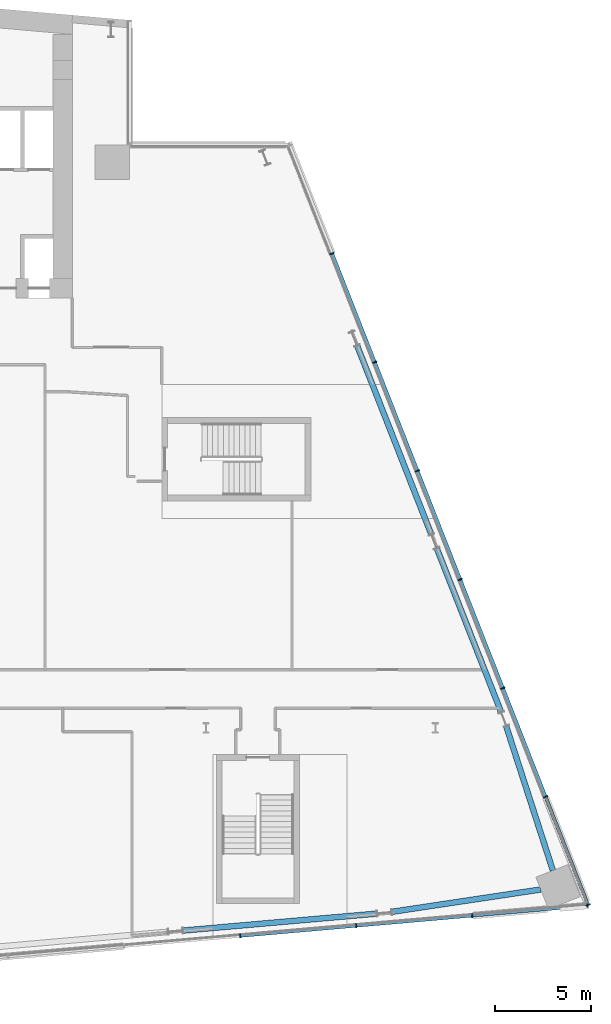
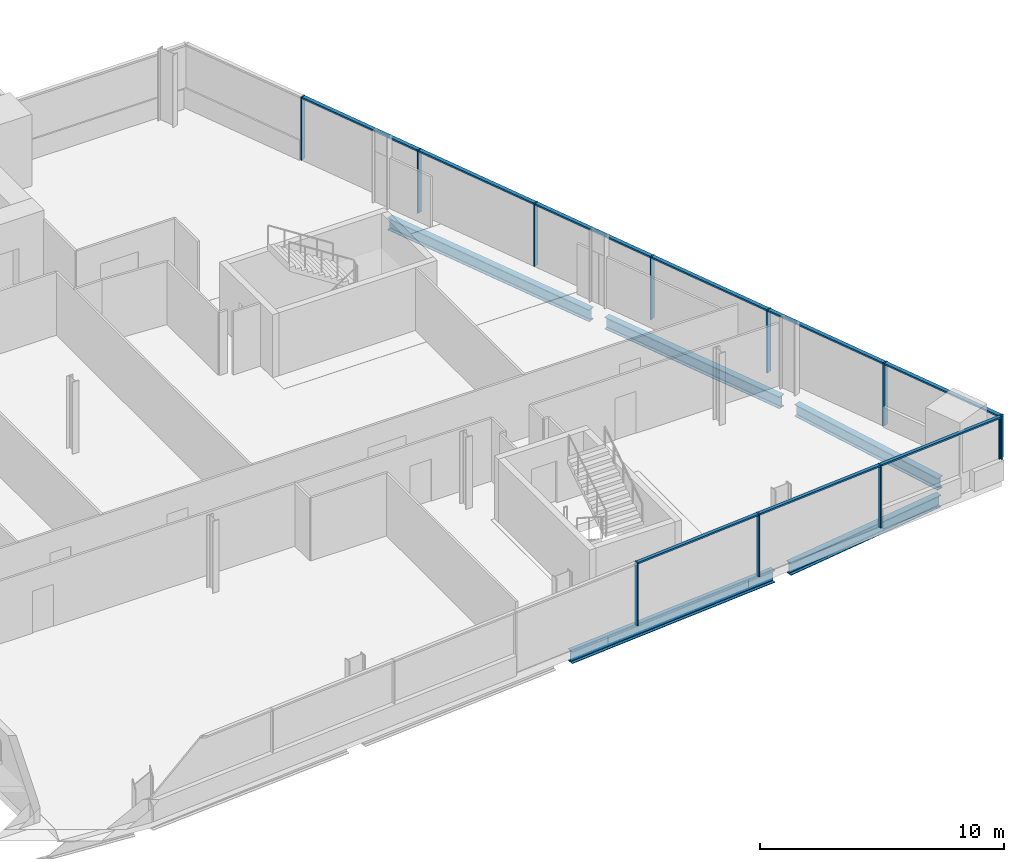
# One storey, part 10 of 25: 20 members, 5 beams, 2 elements without a shape of their own.
"""IFC4 building model written with IfcOpenShell, lengths in metres."""

from ifc_helpers import new_model, si_unit, direction, frame, origin, origin_2d, place, context, subcontext, project, spatial, rectangle, i_section, extrude, material, material_profile, profile_set, type_object, element, aggregate, save


model = new_model("IFC4")

# Units and contexts
model_context = context("Model", 3, precision=1e-05, world=origin(), true_north=direction((0.0, 1.0)))
body_context = subcontext(model_context, "Body", "Model", "MODEL_VIEW")
ifc_project = project(units=[si_unit("LENGTHUNIT", "METRE"), si_unit("AREAUNIT", "SQUARE_METRE"), si_unit("VOLUMEUNIT", "CUBIC_METRE"), si_unit("PLANEANGLEUNIT", "RADIAN"), si_unit("MASSUNIT", "GRAM", prefix="KILO")], contexts=[model_context])

# Site, building, storey
site_placement = place(None, origin())
site = spatial("IfcSite", under=ifc_project, at=site_placement, CompositionType="ELEMENT")
building_placement = place(site_placement, origin())
building = spatial("IfcBuilding", under=site, at=building_placement, Name="Wharfspan Tower", CompositionType="ELEMENT")
storey_placement = place(building_placement, frame((0.0, 0.0, 143.5)))
storey = spatial("IfcBuildingStorey", under=building, at=storey_placement, Name="L34", CompositionType="ELEMENT", Elevation=143.5)

# Beams
ifc_material_1 = material(Name="Steel S355J2", Category="steel")
ifc_material_profile_1 = material_profile(ifc_material_1, i_section(OverallWidth=0.300049, OverallDepth=0.600098, WebThickness=0.015381, FlangeThickness=0.030029, FilletRadius=0.0271, at=origin_2d()))
ifc_profile_set_1 = profile_set([ifc_material_profile_1], Name="Steel S355J2")
beam_type = type_object("IfcBeamType", Name="Edge beam HEB 600", PredefinedType="SPANDREL", material=ifc_profile_set_1)
beam_1_placement = place(storey_placement, frame((70.805664, 0.887695, -0.699951), z_axis=(0.996194, 0.087159, 0.0), x_axis=(-0.087159, 0.996194, 0.0)))
element("IfcBeam", 1, at=beam_1_placement, inside=storey, type_object=beam_type, Name="Edge beam S2 L34 PS2.2 to PS2.3", PredefinedType="SPANDREL", context=body_context, shape_type="SweptSolid", body=[
    extrude(i_section(OverallWidth=0.300049, OverallDepth=0.600098, WebThickness=0.015381, FlangeThickness=0.030029, FilletRadius=0.0271, at=origin_2d()), origin(), (0.0, 0.0, 1.0), 10.159424),
])
beam_2_placement = place(storey_placement, frame((81.727295, 1.868408, -0.699951), z_axis=(0.988926, 0.148412, 0.0), x_axis=(-0.148412, 0.988926, 0.0)))
element("IfcBeam", 2, at=beam_2_placement, inside=storey, type_object=beam_type, Name="Edge beam S2 L34 PS2.3 to MC4", PredefinedType="SPANDREL", context=body_context, shape_type="SweptSolid", body=[
    extrude(i_section(OverallWidth=0.300049, OverallDepth=0.600098, WebThickness=0.015381, FlangeThickness=0.030029, FilletRadius=0.0271, at=origin_2d()), origin(), (0.0, 0.0, 1.0), 7.87793),
])
beam_3_placement = place(storey_placement, frame((90.150879, 4.02832, -0.699951), z_axis=(-0.307851, 0.951434, 0.0), x_axis=(-0.951434, -0.307851, 0.0)))
element("IfcBeam", 3, at=beam_3_placement, inside=storey, type_object=beam_type, Name="Edge beam E L34 MC4 to PE.1", PredefinedType="SPANDREL", context=body_context, shape_type="SweptSolid", body=[
    extrude(i_section(OverallWidth=0.300049, OverallDepth=0.600098, WebThickness=0.015381, FlangeThickness=0.030029, FilletRadius=0.0271, at=origin_2d()), origin(), (0.0, 0.0, 1.0), 7.924805),
])
beam_4_placement = place(storey_placement, frame((87.439453, 12.327637, -0.699951), z_axis=(-0.365779, 0.930702, 0.0), x_axis=(-0.930702, -0.365779, 0.0)))
element("IfcBeam", 4, at=beam_4_placement, inside=storey, type_object=beam_type, Name="Edge beam E L34 PE.1 to PE.2", PredefinedType="SPANDREL", context=body_context, shape_type="SweptSolid", body=[
    extrude(i_section(OverallWidth=0.300049, OverallDepth=0.600098, WebThickness=0.015381, FlangeThickness=0.030029, FilletRadius=0.0271, at=origin_2d()), origin(), (0.0, 0.0, 1.0), 9.184814),
])
beam_5_placement = place(storey_placement, frame((83.785156, 21.625977, -0.699951), z_axis=(-0.365789, 0.930698, 0.0), x_axis=(-0.930698, -0.365789, 0.0)))
element("IfcBeam", 5, at=beam_5_placement, inside=storey, type_object=beam_type, Name="Edge beam E L34 PE.2 to PE.3", PredefinedType="SPANDREL", context=body_context, shape_type="SweptSolid", body=[
    extrude(i_section(OverallWidth=0.300049, OverallDepth=0.600098, WebThickness=0.015381, FlangeThickness=0.030029, FilletRadius=0.0271, at=origin_2d()), origin(), (0.0, 0.0, 1.0), 10.584961),
])

# Curtain wall, members
ifc_material_2 = material(Name="Aluminium 6063-T6", Category="aluminium")
curtain_wall_type_1 = type_object("IfcCurtainWallType", Name="CURTAIN WALL FACETED FRONT", PredefinedType="NOTDEFINED", material=ifc_material_2)
curtain_wall_1_placement = place(storey_placement, origin())
curtain_wall_1 = element("IfcCurtainWall", 6, at=curtain_wall_1_placement, inside=storey, type_object=curtain_wall_type_1, Name="Curtain wall S2", PredefinedType="NOTDEFINED")
ifc_material_profile_2 = material_profile(ifc_material_2, rectangle(XDim=0.199951, YDim=0.060059, at=origin_2d()))
ifc_profile_set_2 = profile_set([ifc_material_profile_2], Name="Aluminium 6063-T6")
member_type_1 = type_object("IfcMemberType", Name="MULLION FACETED FRONT 60x200", PredefinedType="MULLION", material=ifc_profile_set_2)
member_1_placement = place(storey_placement, frame((73.785645, 0.606445, 0.0), z_axis=(0.0, 0.0, 1.0), x_axis=(-0.087156, 0.996198, 0.0)))
member_1 = element("IfcMember", 7, at=member_1_placement, type_object=member_type_1, Name="Curtain wall S2 mullion 5", PredefinedType="MULLION", context=body_context, shape_type="SweptSolid", body=[
    extrude(rectangle(XDim=0.199951, YDim=0.060059, at=origin_2d()), origin(), (0.0, 0.0, 1.0), 3.149902),
])
member_2_placement = place(storey_placement, frame((79.857178, 1.137695, 0.0), z_axis=(0.0, 0.0, 1.0), x_axis=(-0.087156, 0.996198, 0.0)))
member_2 = element("IfcMember", 8, at=member_2_placement, type_object=member_type_1, Name="Curtain wall S2 mullion 6", PredefinedType="MULLION", context=body_context, shape_type="SweptSolid", body=[
    extrude(rectangle(XDim=0.199951, YDim=0.060059, at=origin_2d()), origin(), (0.0, 0.0, 1.0), 3.149902),
])
member_3_placement = place(storey_placement, frame((85.928467, 1.668701, 0.0), z_axis=(0.0, 0.0, 1.0), x_axis=(-0.087156, 0.996198, 0.0)))
member_3 = element("IfcMember", 9, at=member_3_placement, type_object=member_type_1, Name="Curtain wall S2 mullion 7", PredefinedType="MULLION", context=body_context, shape_type="SweptSolid", body=[
    extrude(rectangle(XDim=0.199951, YDim=0.060059, at=origin_2d()), origin(), (0.0, 0.0, 1.0), 3.149902),
])
member_4_placement = place(storey_placement, frame((91.970215, 2.197266, 1.0), z_axis=(0.0, 0.0, 1.0), x_axis=(-0.087156, 0.996198, 0.0)))
member_4 = element("IfcMember", 10, at=member_4_placement, type_object=member_type_1, Name="Curtain wall S2 mullion 8", PredefinedType="MULLION", context=body_context, shape_type="SweptSolid", body=[
    extrude(rectangle(XDim=0.199951, YDim=0.060059, at=origin_2d()), origin(), (0.0, 0.0, 1.0), 2.149902),
])

curtain_wall_type_2 = type_object("IfcCurtainWallType", Name="CURTAIN WALL PROW AND END", PredefinedType="NOTDEFINED", material=ifc_material_2)
curtain_wall_2_placement = place(storey_placement, origin())
curtain_wall_2 = element("IfcCurtainWall", 11, at=curtain_wall_2_placement, inside=storey, type_object=curtain_wall_type_2, Name="Curtain wall E", PredefinedType="NOTDEFINED")
ifc_material_profile_3 = material_profile(ifc_material_2, rectangle(XDim=0.23999, YDim=0.060059, at=origin_2d()))
ifc_profile_set_3 = profile_set([ifc_material_profile_3], Name="Aluminium 6063-T6")
member_type_2 = type_object("IfcMemberType", Name="MULLION PROW AND END 60x240", PredefinedType="MULLION", material=ifc_profile_set_3)
member_5_placement = place(storey_placement, frame((91.989014, 2.228027, 1.0), z_axis=(0.0, 0.0, 1.0), x_axis=(-0.930702, -0.365778, 0.0)))
member_5 = element("IfcMember", 12, at=member_5_placement, type_object=member_type_2, Name="Curtain wall E mullion 1", PredefinedType="MULLION", context=body_context, shape_type="SweptSolid", body=[
    extrude(rectangle(XDim=0.23999, YDim=0.060059, at=origin_2d()), origin(), (0.0, 0.0, 1.0), 2.149902),
])
member_6_placement = place(storey_placement, frame((89.765381, 7.885742, 0.0), z_axis=(0.0, 0.0, 1.0), x_axis=(-0.930702, -0.365778, 0.0)))
member_6 = element("IfcMember", 13, at=member_6_placement, type_object=member_type_2, Name="Curtain wall E mullion 2", PredefinedType="MULLION", context=body_context, shape_type="SweptSolid", body=[
    extrude(rectangle(XDim=0.23999, YDim=0.060059, at=origin_2d()), origin(), (0.0, 0.0, 1.0), 3.149902),
])
member_7_placement = place(storey_placement, frame((87.530762, 13.571533, 0.0), z_axis=(0.0, 0.0, 1.0), x_axis=(-0.930702, -0.365778, 0.0)))
member_7 = element("IfcMember", 14, at=member_7_placement, type_object=member_type_2, Name="Curtain wall E mullion 3", PredefinedType="MULLION", context=body_context, shape_type="SweptSolid", body=[
    extrude(rectangle(XDim=0.23999, YDim=0.060059, at=origin_2d()), origin(), (0.0, 0.0, 1.0), 3.149902),
])
member_8_placement = place(storey_placement, frame((85.296387, 19.25708, 0.0), z_axis=(0.0, 0.0, 1.0), x_axis=(-0.930702, -0.365778, 0.0)))
member_8 = element("IfcMember", 15, at=member_8_placement, type_object=member_type_2, Name="Curtain wall E mullion 4", PredefinedType="MULLION", context=body_context, shape_type="SweptSolid", body=[
    extrude(rectangle(XDim=0.23999, YDim=0.060059, at=origin_2d()), origin(), (0.0, 0.0, 1.0), 3.149902),
])
member_9_placement = place(storey_placement, frame((83.061768, 24.942871, 0.0), z_axis=(0.0, 0.0, 1.0), x_axis=(-0.930702, -0.365778, 0.0)))
member_9 = element("IfcMember", 16, at=member_9_placement, type_object=member_type_2, Name="Curtain wall E mullion 5", PredefinedType="MULLION", context=body_context, shape_type="SweptSolid", body=[
    extrude(rectangle(XDim=0.23999, YDim=0.060059, at=origin_2d()), origin(), (0.0, 0.0, 1.0), 3.149902),
])
member_10_placement = place(storey_placement, frame((80.827148, 30.628662, 0.0), z_axis=(0.0, 0.0, 1.0), x_axis=(-0.930702, -0.365778, 0.0)))
member_10 = element("IfcMember", 17, at=member_10_placement, type_object=member_type_2, Name="Curtain wall E mullion 6", PredefinedType="MULLION", context=body_context, shape_type="SweptSolid", body=[
    extrude(rectangle(XDim=0.23999, YDim=0.060059, at=origin_2d()), origin(), (0.0, 0.0, 1.0), 3.149902),
])
member_11_placement = place(storey_placement, frame((78.592529, 36.314209, 0.0), z_axis=(0.0, 0.0, 1.0), x_axis=(-0.930702, -0.365778, 0.0)))
member_11 = element("IfcMember", 18, at=member_11_placement, type_object=member_type_2, Name="Curtain wall E mullion 7", PredefinedType="MULLION", context=body_context, shape_type="SweptSolid", body=[
    extrude(rectangle(XDim=0.23999, YDim=0.060059, at=origin_2d()), origin(), (0.0, 0.0, 1.0), 3.149902),
])

# Member
ifc_material_profile_4 = material_profile(ifc_material_2, rectangle(XDim=0.159912, YDim=0.080078, at=origin_2d()))
ifc_profile_set_4 = profile_set([ifc_material_profile_4], Name="Aluminium 6063-T6")
member_type_3 = type_object("IfcMemberType", Name="TRANSOM FACETED FRONT 80x160", PredefinedType="USERDEFINED", material=ifc_profile_set_4)
member_12_placement = place(storey_placement, frame((73.815674, 0.609131, 3.110107), z_axis=(0.996196, 0.087146, 0.0), x_axis=(-0.087146, 0.996196, 0.0)))
member_12 = element("IfcMember", 19, at=member_12_placement, type_object=member_type_3, Name="Curtain wall S2 transom 5", ObjectType="TRANSOM", PredefinedType="USERDEFINED", context=body_context, shape_type="SweptSolid", body=[
    extrude(rectangle(XDim=0.159912, YDim=0.080078, at=origin_2d()), origin(), (0.0, 0.0, 1.0), 6.034424),
])

member_13_placement = place(storey_placement, frame((79.886963, 1.140137, 3.110107), z_axis=(0.996192, 0.087183, 0.0), x_axis=(-0.087183, 0.996192, 0.0)))
member_13 = element("IfcMember", 20, at=member_13_placement, type_object=member_type_3, Name="Curtain wall S2 transom 6", ObjectType="TRANSOM", PredefinedType="USERDEFINED", context=body_context, shape_type="SweptSolid", body=[
    extrude(rectangle(XDim=0.159912, YDim=0.080078, at=origin_2d()), origin(), (0.0, 0.0, 1.0), 6.034668),
])

member_14_placement = place(storey_placement, frame((85.958496, 1.671387, 3.110107), z_axis=(0.996193, 0.087174, 0.0), x_axis=(-0.087174, 0.996193, 0.0)))
member_14 = element("IfcMember", 21, at=member_14_placement, type_object=member_type_3, Name="Curtain wall S2 transom 7", ObjectType="TRANSOM", PredefinedType="USERDEFINED", context=body_context, shape_type="SweptSolid", body=[
    extrude(rectangle(XDim=0.159912, YDim=0.080078, at=origin_2d()), origin(), (0.0, 0.0, 1.0), 6.004639),
])

aggregate(curtain_wall_1, [member_1, member_2, member_3, member_4, member_12, member_13, member_14])

ifc_material_profile_5 = material_profile(ifc_material_2, rectangle(XDim=0.179932, YDim=0.080078, at=origin_2d()))
ifc_profile_set_5 = profile_set([ifc_material_profile_5], Name="Aluminium 6063-T6")
member_type_4 = type_object("IfcMemberType", Name="TRANSOM PROW AND END 80x180", PredefinedType="USERDEFINED", material=ifc_profile_set_5)
member_15_placement = place(storey_placement, frame((91.978027, 2.255859, 3.110107), z_axis=(-0.365775, 0.930703, 0.0), x_axis=(-0.930703, -0.365775, 0.0)))
member_15 = element("IfcMember", 22, at=member_15_placement, type_object=member_type_4, Name="Curtain wall E transom 1", ObjectType="TRANSOM", PredefinedType="USERDEFINED", context=body_context, shape_type="SweptSolid", body=[
    extrude(rectangle(XDim=0.179932, YDim=0.080078, at=origin_2d()), origin(), (0.0, 0.0, 1.0), 6.019043),
])

member_16_placement = place(storey_placement, frame((89.754395, 7.913574, 3.110107), z_axis=(-0.365782, 0.9307, 0.0), x_axis=(-0.9307, -0.365782, 0.0)))
member_16 = element("IfcMember", 23, at=member_16_placement, type_object=member_type_4, Name="Curtain wall E transom 2", ObjectType="TRANSOM", PredefinedType="USERDEFINED", context=body_context, shape_type="SweptSolid", body=[
    extrude(rectangle(XDim=0.179932, YDim=0.080078, at=origin_2d()), origin(), (0.0, 0.0, 1.0), 6.049072),
])

member_17_placement = place(storey_placement, frame((87.52002, 13.599365, 3.110107), z_axis=(-0.365782, 0.9307, 0.0), x_axis=(-0.9307, -0.365782, 0.0)))
member_17 = element("IfcMember", 24, at=member_17_placement, type_object=member_type_4, Name="Curtain wall E transom 3", ObjectType="TRANSOM", PredefinedType="USERDEFINED", context=body_context, shape_type="SweptSolid", body=[
    extrude(rectangle(XDim=0.179932, YDim=0.080078, at=origin_2d()), origin(), (0.0, 0.0, 1.0), 6.049072),
])

member_18_placement = place(storey_placement, frame((85.2854, 19.285156, 3.110107), z_axis=(-0.365782, 0.9307, 0.0), x_axis=(-0.9307, -0.365782, 0.0)))
member_18 = element("IfcMember", 25, at=member_18_placement, type_object=member_type_4, Name="Curtain wall E transom 4", ObjectType="TRANSOM", PredefinedType="USERDEFINED", context=body_context, shape_type="SweptSolid", body=[
    extrude(rectangle(XDim=0.179932, YDim=0.080078, at=origin_2d()), origin(), (0.0, 0.0, 1.0), 6.049072),
])

member_19_placement = place(storey_placement, frame((83.050781, 24.970703, 3.110107), z_axis=(-0.365782, 0.9307, 0.0), x_axis=(-0.9307, -0.365782, 0.0)))
member_19 = element("IfcMember", 26, at=member_19_placement, type_object=member_type_4, Name="Curtain wall E transom 5", ObjectType="TRANSOM", PredefinedType="USERDEFINED", context=body_context, shape_type="SweptSolid", body=[
    extrude(rectangle(XDim=0.179932, YDim=0.080078, at=origin_2d()), origin(), (0.0, 0.0, 1.0), 6.049072),
])

member_20_placement = place(storey_placement, frame((80.816162, 30.656494, 3.110107), z_axis=(-0.365782, 0.9307, 0.0), x_axis=(-0.9307, -0.365782, 0.0)))
member_20 = element("IfcMember", 27, at=member_20_placement, type_object=member_type_4, Name="Curtain wall E transom 6", ObjectType="TRANSOM", PredefinedType="USERDEFINED", context=body_context, shape_type="SweptSolid", body=[
    extrude(rectangle(XDim=0.179932, YDim=0.080078, at=origin_2d()), origin(), (0.0, 0.0, 1.0), 6.049072),
])

aggregate(curtain_wall_2, [member_5, member_6, member_7, member_8, member_9, member_10, member_11, member_15, member_16, member_17, member_18, member_19, member_20])

save(model, "model.ifc")
